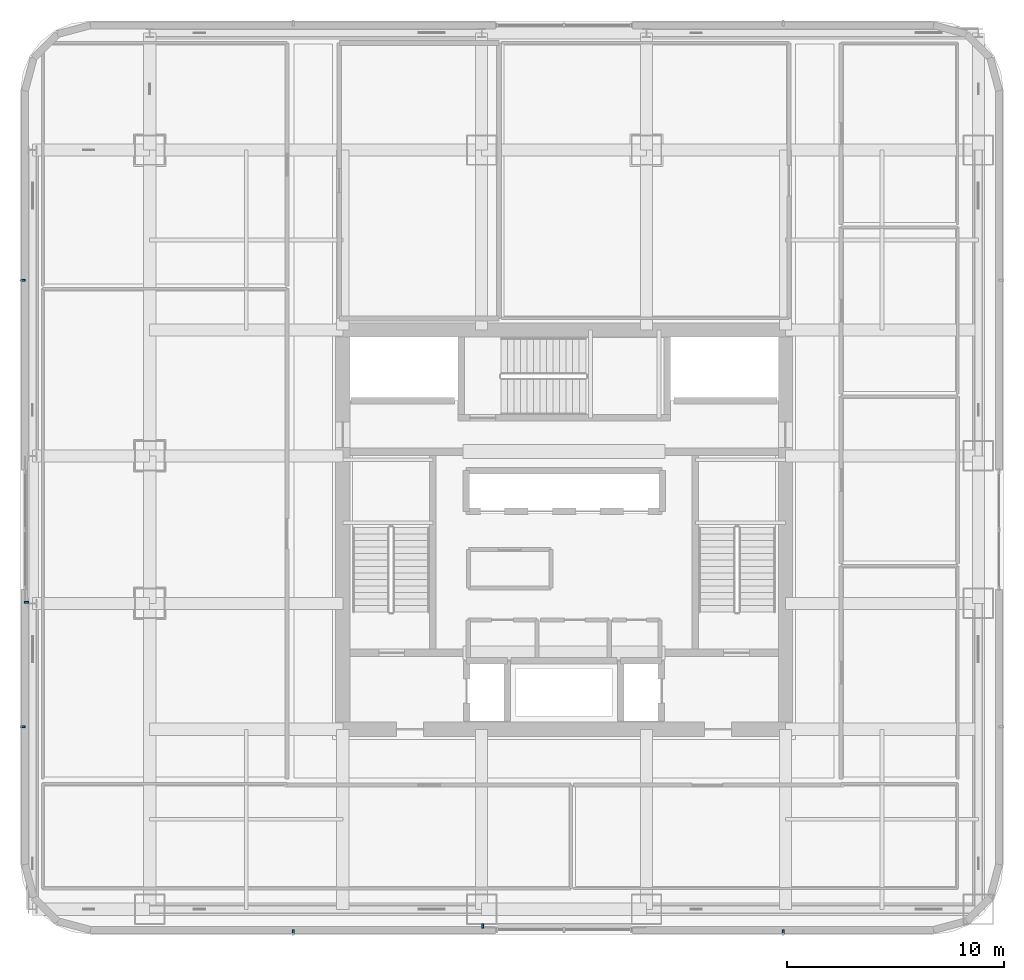
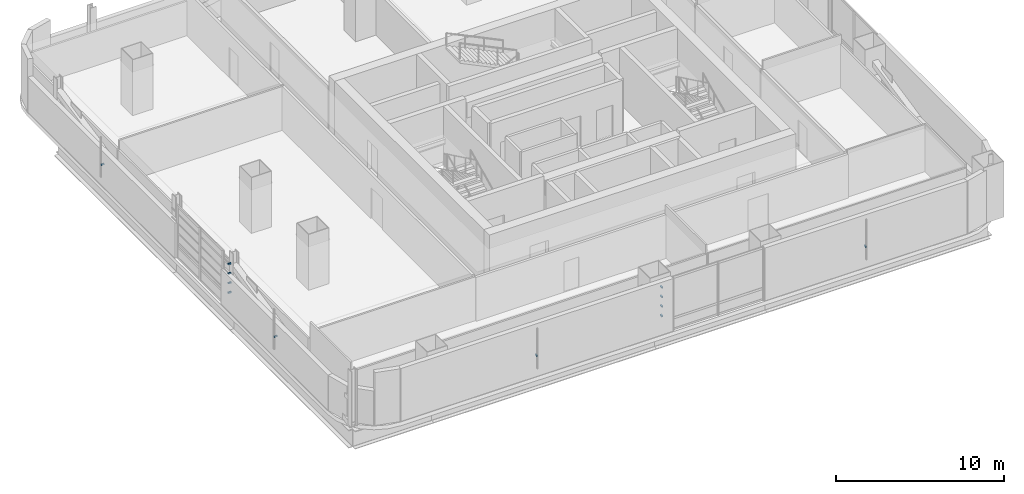
# One storey, part 16 of 32: 12 discrete accessories.
"""IFC4 building model written with IfcOpenShell, lengths in metres."""

from ifc_helpers import new_model, si_unit, direction, frame, origin, origin_2d, place, context, subcontext, project, spatial, rectangle, extrude, material, type_object, element, save


model = new_model("IFC4")

# Units and contexts
model_context = context("Model", 3, precision=1e-05, world=origin(), true_north=direction((0.0, 1.0)))
body_context = subcontext(model_context, "Body", "Model", "MODEL_VIEW")
ifc_project = project(units=[si_unit("LENGTHUNIT", "METRE"), si_unit("AREAUNIT", "SQUARE_METRE"), si_unit("VOLUMEUNIT", "CUBIC_METRE"), si_unit("PLANEANGLEUNIT", "RADIAN"), si_unit("MASSUNIT", "GRAM", prefix="KILO")], contexts=[model_context])

# Site, building, storey
site_placement = place(None, origin())
site = spatial("IfcSite", under=ifc_project, at=site_placement, CompositionType="ELEMENT")
building_placement = place(site_placement, origin())
building = spatial("IfcBuilding", under=site, at=building_placement, Name="Punatoya Terracotta Tower", CompositionType="ELEMENT")
storey_placement = place(building_placement, frame((0.0, 0.0, 139.800048828125)))
storey = spatial("IfcBuildingStorey", under=building, at=storey_placement, Name="L32", CompositionType="ELEMENT", Elevation=139.800048828125)

# Discrete accessories
ifc_material = material(Name="Steel S355", Category="steel")
discrete_accessory_type = type_object("IfcDiscreteAccessoryType", Name="ACC-BRK-220", PredefinedType="BRACKET", material=ifc_material)
for number, where, z_axis, x_axis, name in (
    (1, (-12.493408203125, -18.550048828125, 1.449951171875), (0.0, 0.0, 1.0), (1.0, 0.0, 0.0), "L32 Jali Fin Support Bracket S1"),
    (2, (10.093505859375, -18.550048828125, 1.449951171875), (0.0, 0.0, 1.0), (1.0, 0.0, 0.0), "L32 Jali Fin Support Bracket S2"),
    (3, (-24.949951171875, 11.493408203125, 1.449951171875), (0.0, 0.0, 1.0), (0.0, -1.0, 0.0), "L32 Jali Fin Support Bracket W1"),
    (4, (-24.949951171875, -9.093505859375, 1.449951171875), (0.0, 0.0, 1.0), (0.0, -1.0, 0.0), "L32 Jali Fin Support Bracket W2"),
    (5, (-3.75, -18.27001953125, 1.099853515625), (0.0, 0.0, 1.0), (1.0, 0.0, 0.0), "L32 Baguette Louvre Column Bracket BAG-L32-S-01"),
    (6, (-3.75, -18.27001953125, 1.793212890625), (0.0, 0.0, 1.0), (1.0, 0.0, 0.0), "L32 Baguette Louvre Column Bracket BAG-L32-S-02"),
    (7, (-3.75, -18.27001953125, 2.486572265625), (0.0, 0.0, 1.0), (1.0, 0.0, 0.0), "L32 Baguette Louvre Column Bracket BAG-L32-S-03"),
    (8, (-3.75, -18.27001953125, 3.179931640625), (0.0, 0.0, 1.0), (1.0, 0.0, 0.0), "L32 Baguette Louvre Column Bracket BAG-L32-S-04"),
    (9, (-24.782470703125, -3.35009765625, 1.099853515625), (0.0, 0.0, 1.0), (0.0, 1.0, 0.0), "L32 Baguette Louvre Column Bracket BAG-L32-W-01"),
    (10, (-24.782470703125, -3.35009765625, 1.793212890625), (0.0, 0.0, 1.0), (0.0, 1.0, 0.0), "L32 Baguette Louvre Column Bracket BAG-L32-W-02"),
    (11, (-24.782470703125, -3.35009765625, 2.486572265625), (0.0, 0.0, 1.0), (0.0, 1.0, 0.0), "L32 Baguette Louvre Column Bracket BAG-L32-W-03"),
    (12, (-24.782470703125, -3.35009765625, 3.179931640625), (0.0, 0.0, 1.0), (0.0, 1.0, 0.0), "L32 Baguette Louvre Column Bracket BAG-L32-W-04"),
):
    element("IfcDiscreteAccessory", number, at=place(storey_placement, frame(where, z_axis=z_axis, x_axis=x_axis)), inside=storey, type_object=discrete_accessory_type, Name=name, PredefinedType="BRACKET", context=body_context, shape_type="SweptSolid", body=[
        extrude(rectangle(XDim=0.090087890625, YDim=0.219970703125, at=origin_2d()), origin(), (0.0, 0.0, 1.0), 0.10009765625),
    ])

save(model, "model.ifc")
